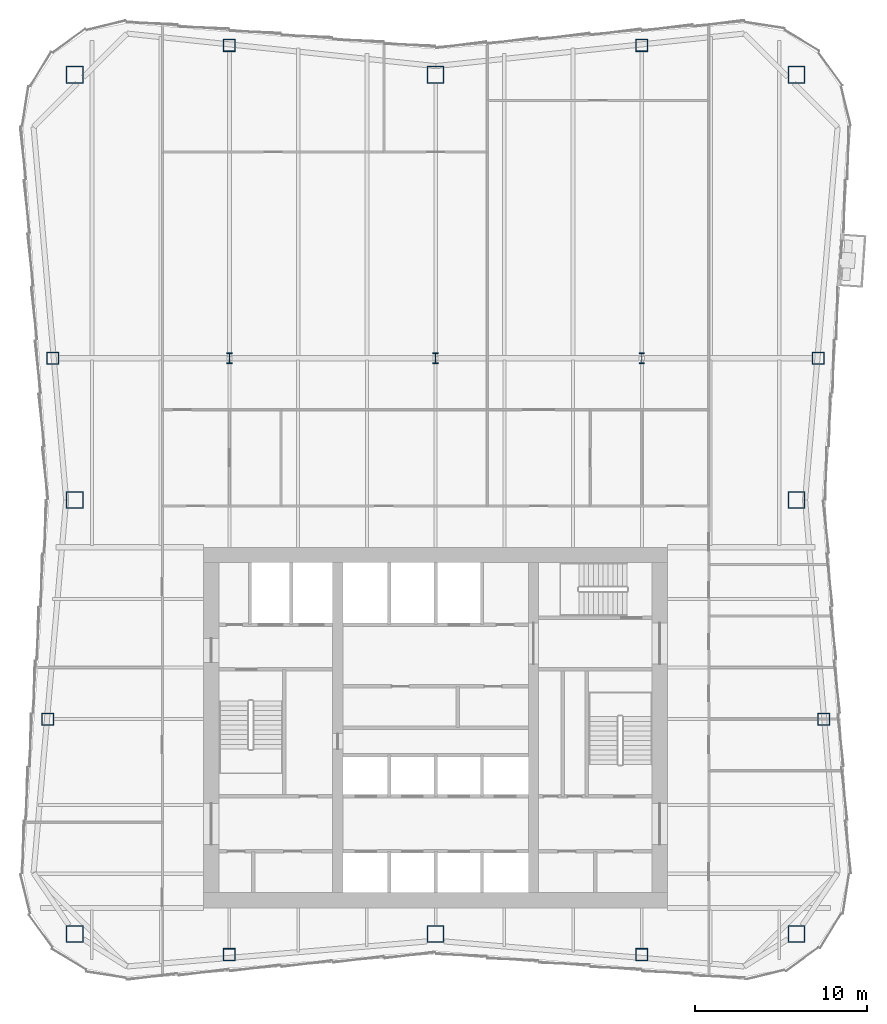
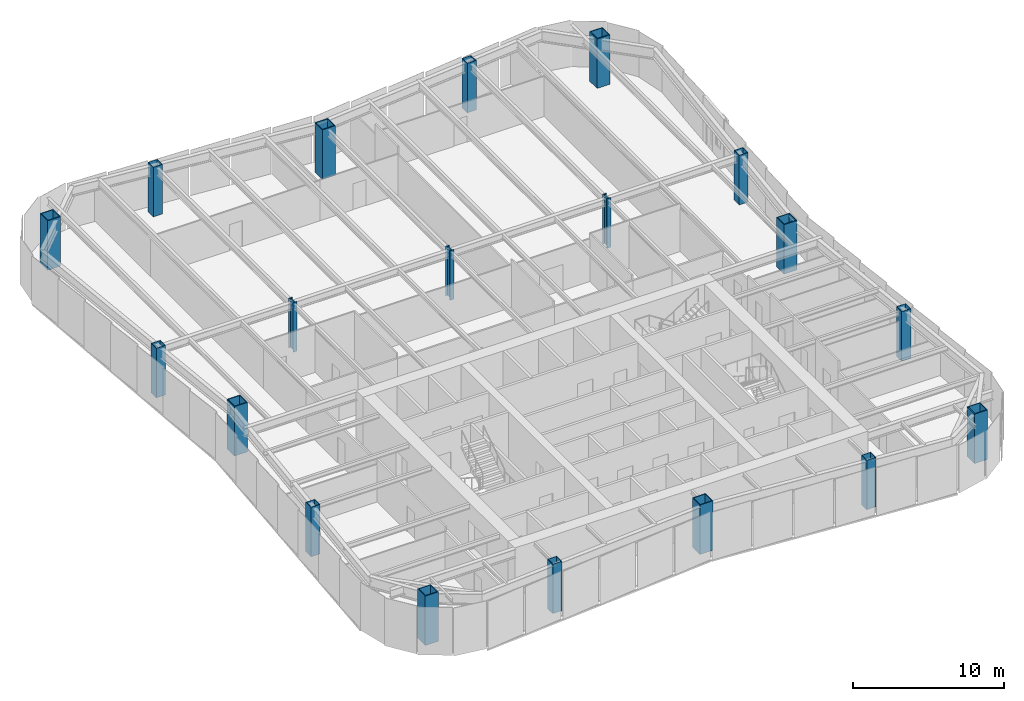
# One storey, part 1 of 10: 19 columns.
"""IFC4 building model written with IfcOpenShell, lengths in metres."""

from ifc_helpers import new_model, si_unit, direction, frame, origin, origin_2d, place, context, subcontext, project, spatial, hollow_rectangle, i_section, extrude, material, material_profile, profile_set, type_object, element, save


model = new_model("IFC4")

# Units and contexts
model_context = context("Model", 3, precision=1e-05, world=origin(), true_north=direction((0.0, 1.0)))
body_context = subcontext(model_context, "Body", "Model", "MODEL_VIEW")
ifc_project = project(units=[si_unit("LENGTHUNIT", "METRE"), si_unit("AREAUNIT", "SQUARE_METRE"), si_unit("VOLUMEUNIT", "CUBIC_METRE"), si_unit("PLANEANGLEUNIT", "RADIAN"), si_unit("MASSUNIT", "GRAM", prefix="KILO")], contexts=[model_context])

# Site, building, storey
site_placement = place(None, origin())
site = spatial("IfcSite", under=ifc_project, at=site_placement, CompositionType="ELEMENT")
building_placement = place(site_placement, origin())
building = spatial("IfcBuilding", under=site, at=building_placement, Name="Verdant Reach Tower", CompositionType="ELEMENT")
storey_placement = place(building_placement, frame((0.0, 0.0, 210.0)))
storey = spatial("IfcBuildingStorey", under=building, at=storey_placement, Name="L48", CompositionType="ELEMENT", Elevation=210.0)

# Columns
ifc_material = material(Name="Steel S460", Category="steel")
ifc_material_profile_1 = material_profile(ifc_material, i_section(OverallWidth=0.304931640625, OverallDepth=0.6201171875, WebThickness=0.02099609375, FlangeThickness=0.0400390625, FilletRadius=0.027099609375, at=origin_2d()), Name="HEM 600")
ifc_profile_set_1 = profile_set([ifc_material_profile_1], Name="Steel S460")
column_type_1 = type_object("IfcColumnType", Name="ST-COL-HEM600", PredefinedType="COLUMN", material=ifc_profile_set_1)
for number, where, z_axis, x_axis, name in (
    (1, (-12.0, 49.5, 0.0), (0.0, 0.0, 1.0), (1.0, 0.0, 0.0), "Interior column 1, L48"),
    (2, (0.0, 49.5, 0.0), (0.0, 0.0, 1.0), (1.0, 0.0, 0.0), "Interior column 2, L48"),
    (3, (12.0, 49.5, 0.0), (0.0, 0.0, 1.0), (1.0, 0.0, 0.0), "Interior column 3, L48"),
):
    element("IfcColumn", number, at=place(storey_placement, frame(where, z_axis=z_axis, x_axis=x_axis)), inside=storey, type_object=column_type_1, Name=name, PredefinedType="COLUMN", context=body_context, shape_type="SweptSolid", body=[
        extrude(i_section(OverallWidth=0.304931640625, OverallDepth=0.6201171875, WebThickness=0.02099609375, FlangeThickness=0.0400390625, FilletRadius=0.027099609375, at=origin_2d()), origin(), (0.0, 0.0, 1.0), 4.0),
    ])
ifc_material_profile_2 = material_profile(ifc_material, hollow_rectangle(XDim=1.0, YDim=1.0, WallThickness=0.06005859375, at=origin_2d()), Name="WB 1000x1000x60")
ifc_profile_set_2 = profile_set([ifc_material_profile_2], Name="Steel S460")
column_type_2 = type_object("IfcColumnType", Name="ST-COL-WB1000x1000x60", PredefinedType="COLUMN", material=ifc_profile_set_2)
for number, where, z_axis, x_axis, name in (
    (4, (-21.0, 66.0, 0.0), (0.0, 0.0, 1.0), (1.0, 0.0, 0.0), "Mega column north-west, L48"),
    (5, (0.0, 66.0, 0.0), (0.0, 0.0, 1.0), (1.0, 0.0, 0.0), "Mega column north, L48"),
    (6, (21.0, 66.0, 0.0), (0.0, 0.0, 1.0), (1.0, 0.0, 0.0), "Mega column north-east, L48"),
    (7, (21.0, 41.25, 0.0), (0.0, 0.0, 1.0), (1.0, 0.0, 0.0), "Mega column east, L48"),
    (8, (21.0, 16.0, 0.0), (0.0, 0.0, 1.0), (1.0, 0.0, 0.0), "Mega column south-east, L48"),
    (9, (0.0, 16.0, 0.0), (0.0, 0.0, 1.0), (1.0, 0.0, 0.0), "Mega column south, L48"),
    (10, (-21.0, 16.0, 0.0), (0.0, 0.0, 1.0), (1.0, 0.0, 0.0), "Mega column south-west, L48"),
    (11, (-21.0, 41.25, 0.0), (0.0, 0.0, 1.0), (1.0, 0.0, 0.0), "Mega column west, L48"),
):
    element("IfcColumn", number, at=place(storey_placement, frame(where, z_axis=z_axis, x_axis=x_axis)), inside=storey, type_object=column_type_2, Name=name, PredefinedType="COLUMN", context=body_context, shape_type="SweptSolid", body=[
        extrude(hollow_rectangle(XDim=1.0, YDim=1.0, WallThickness=0.06005859375, at=origin_2d()), origin(), (0.0, 0.0, 1.0), 4.0),
    ])
ifc_material_profile_3 = material_profile(ifc_material, hollow_rectangle(XDim=0.699951171875, YDim=0.699951171875, WallThickness=0.030029296875, at=origin_2d()), Name="WB 700x700x30")
ifc_profile_set_3 = profile_set([ifc_material_profile_3], Name="Steel S460")
column_type_3 = type_object("IfcColumnType", Name="ST-COL-WB700x700x30", PredefinedType="COLUMN", material=ifc_profile_set_3)
for number, where, z_axis, x_axis, name in (
    (12, (-12.0, 67.699951171875, 0.0), (0.0, 0.0, 1.0), (1.0, 0.0, 0.0), "Perimeter column north 1, L48"),
    (13, (12.0, 67.699951171875, 0.0), (0.0, 0.0, 1.0), (1.0, 0.0, 0.0), "Perimeter column north 2, L48"),
    (14, (-12.0, 14.800048828125, 0.0), (0.0, 0.0, 1.0), (1.0, 0.0, 0.0), "Perimeter column south 1, L48"),
    (15, (12.0, 14.800048828125, 0.0), (0.0, 0.0, 1.0), (1.0, 0.0, 0.0), "Perimeter column south 2, L48"),
    (16, (22.579345703125, 28.5, 0.0), (0.0, 0.0, 1.0), (1.0, 0.0, 0.0), "Perimeter column east 1, L48"),
    (17, (22.26904296875, 49.5, 0.0), (0.0, 0.0, 1.0), (1.0, 0.0, 0.0), "Perimeter column east 2, L48"),
    (18, (-22.579345703125, 28.5, 0.0), (0.0, 0.0, 1.0), (1.0, 0.0, 0.0), "Perimeter column west 1, L48"),
    (19, (-22.26904296875, 49.5, 0.0), (0.0, 0.0, 1.0), (1.0, 0.0, 0.0), "Perimeter column west 2, L48"),
):
    element("IfcColumn", number, at=place(storey_placement, frame(where, z_axis=z_axis, x_axis=x_axis)), inside=storey, type_object=column_type_3, Name=name, PredefinedType="COLUMN", context=body_context, shape_type="SweptSolid", body=[
        extrude(hollow_rectangle(XDim=0.699951171875, YDim=0.699951171875, WallThickness=0.030029296875, at=origin_2d()), origin(), (0.0, 0.0, 1.0), 4.0),
    ])

save(model, "model.ifc")
